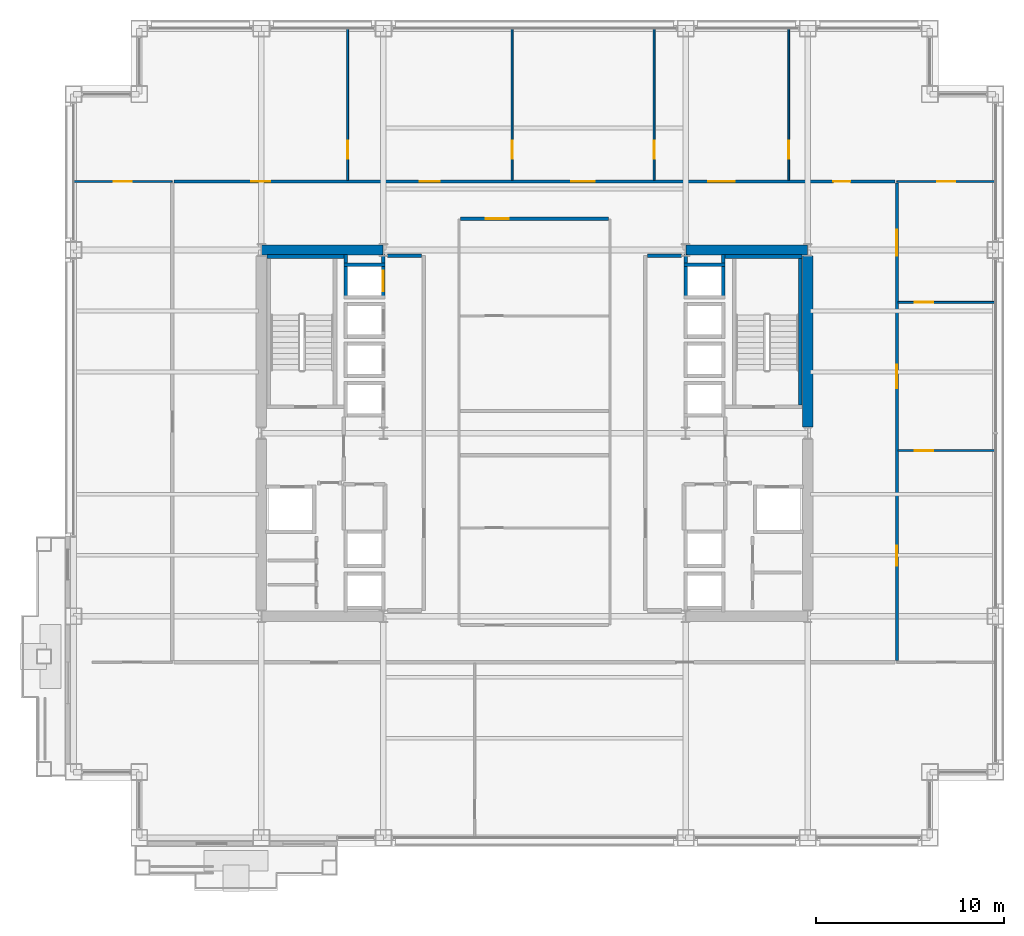
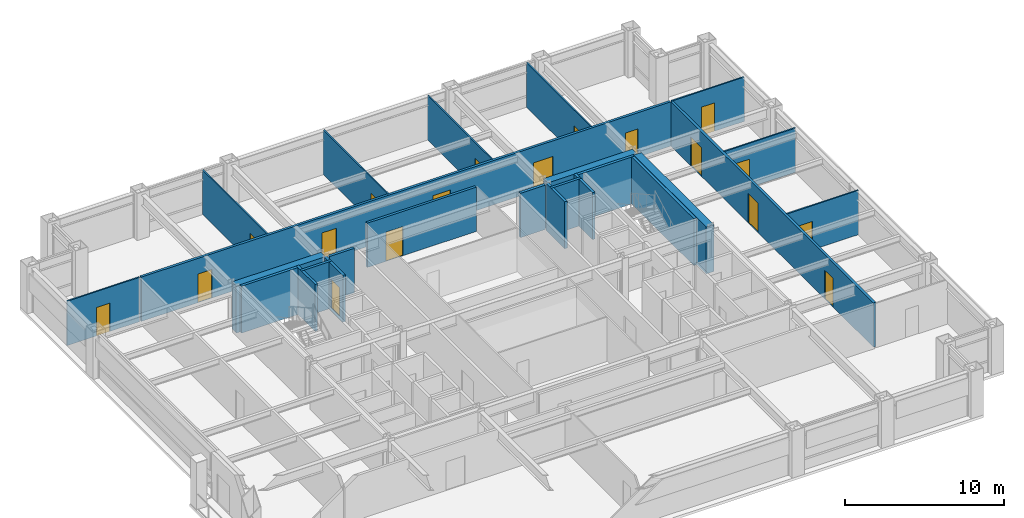
# One storey, part 25 of 28: 25 walls, 18 doors, 18 openings.
"""IFC4 building model written with IfcOpenShell, lengths in metres."""

from ifc_helpers import new_model, si_unit, direction, frame, frame_2d, origin, place, context, subcontext, project, spatial, rectangle, extrude, material, layer, layer_set, type_object, element, fill, save


model = new_model("IFC4")

# Units and contexts
model_context = context("Model", 3, precision=1e-05, world=origin(), true_north=direction((0.0, 1.0)))
body_context = subcontext(model_context, "Body", "Model", "MODEL_VIEW")
ifc_project = project(units=[si_unit("LENGTHUNIT", "METRE"), si_unit("AREAUNIT", "SQUARE_METRE"), si_unit("VOLUMEUNIT", "CUBIC_METRE"), si_unit("PLANEANGLEUNIT", "RADIAN"), si_unit("MASSUNIT", "GRAM", prefix="KILO")], contexts=[model_context])

# Site, building, storey
site_placement = place(None, origin())
site = spatial("IfcSite", under=ifc_project, at=site_placement, CompositionType="ELEMENT")
building_placement = place(site_placement, origin())
building = spatial("IfcBuilding", under=site, at=building_placement, Name="Brelmoor Portico Tower", CompositionType="ELEMENT")
storey_placement = place(building_placement, frame((0.0, 0.0, 70.800048828125)))
storey = spatial("IfcBuildingStorey", under=building, at=storey_placement, Name="L18", CompositionType="ELEMENT", Elevation=70.800048828125)

# Walls
ifc_material_1 = material(Name="Concrete C60", Category="concrete")
ifc_layer_1 = layer(ifc_material_1, 0.550048828125)
ifc_layer_set_1 = layer_set([ifc_layer_1], Name="Concrete C60")
wall_type_1 = type_object("IfcWallType", Name="WL-CORE-550", PredefinedType="SHEAR", material=ifc_layer_set_1)
for number, where, z_axis, x_axis, name in (
    (1, (-14.530029296875, 9.75, -0.199951171875), (0.0, 0.0, 1.0), (1.0, 0.0, 0.0), "L18 WC North Shear Wall"),
    (2, (8.070068359375, 9.75, -0.199951171875), (0.0, 0.0, 1.0), (1.0, 0.0, 0.0), "L18 EC North Shear Wall"),
):
    element("IfcWall", number, at=place(storey_placement, frame(where, z_axis=z_axis, x_axis=x_axis)), inside=storey, type_object=wall_type_1, Name=name, PredefinedType="SHEAR", context=body_context, shape_type="SweptSolid", body=[
        extrude(rectangle(XDim=6.4599609375, YDim=0.550048828125, at=frame_2d((3.22998046875, 0.0))), origin(), (0.0, 0.0, 1.0), 3.599853515625),
    ])
wall_1_placement = place(storey_placement, frame((14.550048828125, 0.324951171875, -0.199951171875), z_axis=(0.0, 0.0, 1.0), x_axis=(0.0, 1.0, 0.0)))
element("IfcWall", 3, at=wall_1_placement, inside=storey, type_object=wall_type_1, Name="L18 EC Outer North Shear Wall", PredefinedType="SHEAR", context=body_context, shape_type="SweptSolid", body=[
    extrude(rectangle(XDim=9.10009765625, YDim=0.550048828125, at=frame_2d((4.550048828125, 0.0))), origin(), (0.0, 0.0, 1.0), 3.599853515625),
])

# Wall, opening, door
ifc_material_2 = material(Name="Demountable Glazed Office Partition", Category="aluminium")
ifc_layer_2 = layer(ifc_material_2, 0.10009765625)
ifc_layer_set_2 = layer_set([ifc_layer_2], Name="Demountable Glazed Office Partition")
wall_type_2 = type_object("IfcWallType", Name="WL-PART-100", PredefinedType="PARTITIONING", material=ifc_layer_set_2)
wall_2_placement = place(storey_placement, frame((-9.955078125, 13.4599609375, 0.0), z_axis=(0.0, 0.0, 1.0), x_axis=(0.0, 1.0, 0.0)))
wall_2 = element("IfcWall", 4, at=wall_2_placement, inside=storey, type_object=wall_type_2, Name="L18 North Suite Partition 1", PredefinedType="PARTITIONING", context=body_context, shape_type="SweptSolid", body=[
    extrude(rectangle(XDim=8.10009765625, YDim=0.10009765625, at=frame_2d((4.050048828125, 0.0))), origin(), (0.0, 0.0, 1.0), 3.39990234375),
])
opening_1_placement = place(wall_2_placement, frame((1.14990234375, 0.0, 0.0)))
opening_1 = element("IfcOpeningElement", 5, at=opening_1_placement, cuts=wall_2, Name="Opening D-IN2", PredefinedType="OPENING", context=body_context, shape_type="SweptSolid", body=[
    extrude(rectangle(XDim=0.9599609375, YDim=2.179931640625, at=frame_2d((0.47998046875, 1.08984375))), frame((0.0, 0.06005859375, 0.0), z_axis=(0.0, -1.0, 0.0), x_axis=(1.0, 0.0, 0.0)), (0.0, 0.0, 1.0), 0.1201171875),
])
ifc_material_3 = material(Name="Lacquered Timber Suite Door", Category="wood")
door_type_1 = type_object("IfcDoorType", Name="DR-INT-950", OperationType="NOTDEFINED", PredefinedType="DOOR", material=ifc_material_3)
door_1_placement = place(opening_1_placement, origin())
door_1 = element("IfcDoor", 6, at=door_1_placement, inside=storey, type_object=door_type_1, Name="D-0823 L18 North Suite Connecting Door 1", OperationType="SINGLE_SWING_LEFT", OverallHeight=2.179931640625, OverallWidth=0.9599609375, PredefinedType="DOOR", context=body_context, shape_type="SweptSolid", body=[
    extrude(rectangle(XDim=0.9599609375, YDim=2.179931640625, at=frame_2d((0.47998046875, 1.08984375))), frame((0.0, 0.02490234375, 0.0), z_axis=(0.0, -1.0, 0.0), x_axis=(1.0, 0.0, 0.0)), (0.0, 0.0, 1.0), 0.050048828125),
])
fill(opening_1, door_1)

wall_3_placement = place(storey_placement, frame((-1.194580078125, 13.4599609375, 0.0), z_axis=(0.0, 0.0, 1.0), x_axis=(0.0, 1.0, 0.0)))
wall_3 = element("IfcWall", 7, at=wall_3_placement, inside=storey, type_object=wall_type_2, Name="L18 North Suite Partition 2", PredefinedType="PARTITIONING", context=body_context, shape_type="SweptSolid", body=[
    extrude(rectangle(XDim=8.10009765625, YDim=0.10009765625, at=frame_2d((4.050048828125, 0.0))), origin(), (0.0, 0.0, 1.0), 3.39990234375),
])
opening_2_placement = place(wall_3_placement, frame((1.14990234375, 0.0, 0.0)))
opening_2 = element("IfcOpeningElement", 8, at=opening_2_placement, cuts=wall_3, Name="Opening D-IN2", PredefinedType="OPENING", context=body_context, shape_type="SweptSolid", body=[
    extrude(rectangle(XDim=0.9599609375, YDim=2.179931640625, at=frame_2d((0.47998046875, 1.08984375))), frame((0.0, 0.06005859375, 0.0), z_axis=(0.0, -1.0, 0.0), x_axis=(1.0, 0.0, 0.0)), (0.0, 0.0, 1.0), 0.1201171875),
])
door_2_placement = place(opening_2_placement, origin())
door_2 = element("IfcDoor", 9, at=door_2_placement, inside=storey, type_object=door_type_1, Name="D-0824 L18 North Suite Connecting Door 2", OperationType="SINGLE_SWING_RIGHT", OverallHeight=2.179931640625, OverallWidth=0.9599609375, PredefinedType="DOOR", context=body_context, shape_type="SweptSolid", body=[
    extrude(rectangle(XDim=0.9599609375, YDim=2.179931640625, at=frame_2d((0.47998046875, 1.08984375))), frame((0.0, 0.02490234375, 0.0), z_axis=(0.0, -1.0, 0.0), x_axis=(1.0, 0.0, 0.0)), (0.0, 0.0, 1.0), 0.050048828125),
])
fill(opening_2, door_2)

wall_4_placement = place(storey_placement, frame((6.37109375, 13.4599609375, 0.0), z_axis=(0.0, 0.0, 1.0), x_axis=(0.0, 1.0, 0.0)))
wall_4 = element("IfcWall", 10, at=wall_4_placement, inside=storey, type_object=wall_type_2, Name="L18 North Suite Partition 3", PredefinedType="PARTITIONING", context=body_context, shape_type="SweptSolid", body=[
    extrude(rectangle(XDim=8.10009765625, YDim=0.10009765625, at=frame_2d((4.050048828125, 0.0))), origin(), (0.0, 0.0, 1.0), 3.39990234375),
])
opening_3_placement = place(wall_4_placement, frame((1.14990234375, 0.0, 0.0)))
opening_3 = element("IfcOpeningElement", 11, at=opening_3_placement, cuts=wall_4, Name="Opening D-IN2", PredefinedType="OPENING", context=body_context, shape_type="SweptSolid", body=[
    extrude(rectangle(XDim=0.9599609375, YDim=2.179931640625, at=frame_2d((0.47998046875, 1.08984375))), frame((0.0, 0.06005859375, 0.0), z_axis=(0.0, -1.0, 0.0), x_axis=(1.0, 0.0, 0.0)), (0.0, 0.0, 1.0), 0.1201171875),
])
door_3_placement = place(opening_3_placement, origin())
door_3 = element("IfcDoor", 12, at=door_3_placement, inside=storey, type_object=door_type_1, Name="D-0825 L18 North Suite Connecting Door 3", OperationType="SINGLE_SWING_LEFT", OverallHeight=2.179931640625, OverallWidth=0.9599609375, PredefinedType="DOOR", context=body_context, shape_type="SweptSolid", body=[
    extrude(rectangle(XDim=0.9599609375, YDim=2.179931640625, at=frame_2d((0.47998046875, 1.08984375))), frame((0.0, 0.02490234375, 0.0), z_axis=(0.0, -1.0, 0.0), x_axis=(1.0, 0.0, 0.0)), (0.0, 0.0, 1.0), 0.050048828125),
])
fill(opening_3, door_3)

wall_5_placement = place(storey_placement, frame((13.538818359375, 13.4599609375, 0.0), z_axis=(0.0, 0.0, 1.0), x_axis=(0.0, 1.0, 0.0)))
wall_5 = element("IfcWall", 13, at=wall_5_placement, inside=storey, type_object=wall_type_2, Name="L18 North Suite Partition 4", PredefinedType="PARTITIONING", context=body_context, shape_type="SweptSolid", body=[
    extrude(rectangle(XDim=8.10009765625, YDim=0.10009765625, at=frame_2d((4.050048828125, 0.0))), origin(), (0.0, 0.0, 1.0), 3.39990234375),
])
opening_4_placement = place(wall_5_placement, frame((1.14990234375, 0.0, 0.0)))
opening_4 = element("IfcOpeningElement", 14, at=opening_4_placement, cuts=wall_5, Name="Opening D-IN2", PredefinedType="OPENING", context=body_context, shape_type="SweptSolid", body=[
    extrude(rectangle(XDim=0.9599609375, YDim=2.179931640625, at=frame_2d((0.47998046875, 1.08984375))), frame((0.0, 0.06005859375, 0.0), z_axis=(0.0, -1.0, 0.0), x_axis=(1.0, 0.0, 0.0)), (0.0, 0.0, 1.0), 0.1201171875),
])
door_4_placement = place(opening_4_placement, origin())
door_4 = element("IfcDoor", 15, at=door_4_placement, inside=storey, type_object=door_type_1, Name="D-0826 L18 North Suite Connecting Door 4", OperationType="SINGLE_SWING_RIGHT", OverallHeight=2.179931640625, OverallWidth=0.9599609375, PredefinedType="DOOR", context=body_context, shape_type="SweptSolid", body=[
    extrude(rectangle(XDim=0.9599609375, YDim=2.179931640625, at=frame_2d((0.47998046875, 1.08984375))), frame((0.0, 0.02490234375, 0.0), z_axis=(0.0, -1.0, 0.0), x_axis=(1.0, 0.0, 0.0)), (0.0, 0.0, 1.0), 0.050048828125),
])
fill(opening_4, door_4)

wall_6_placement = place(storey_placement, frame((-24.56005859375, 13.39990234375, 0.0), z_axis=(0.0, 0.0, 1.0), x_axis=(1.0, 0.0, 0.0)))
wall_6 = element("IfcWall", 16, at=wall_6_placement, inside=storey, type_object=wall_type_2, Name="L18 North Outer Closure WL", PredefinedType="PARTITIONING", context=body_context, shape_type="SweptSolid", body=[
    extrude(rectangle(XDim=5.260009765625, YDim=0.10009765625, at=frame_2d((2.6298828125, 0.0))), origin(), (0.0, 0.0, 1.0), 3.39990234375),
])
opening_5_placement = place(wall_6_placement, frame((2.14990234375, 0.0, 0.0)))
opening_5 = element("IfcOpeningElement", 17, at=opening_5_placement, cuts=wall_6, Name="Opening D-IN2", PredefinedType="OPENING", context=body_context, shape_type="SweptSolid", body=[
    extrude(rectangle(XDim=0.9599609375, YDim=2.179931640625, at=frame_2d((0.47998046875, 1.08984375))), frame((0.0, 0.06005859375, 0.0), z_axis=(0.0, -1.0, 0.0), x_axis=(1.0, 0.0, 0.0)), (0.0, 0.0, 1.0), 0.1201171875),
])
door_5_placement = place(opening_5_placement, origin())
door_5 = element("IfcDoor", 18, at=door_5_placement, inside=storey, type_object=door_type_1, Name="D-0828 L18 WL North Corner Suite Door", OperationType="SINGLE_SWING_LEFT", OverallHeight=2.179931640625, OverallWidth=0.9599609375, PredefinedType="DOOR", context=body_context, shape_type="SweptSolid", body=[
    extrude(rectangle(XDim=0.9599609375, YDim=2.179931640625, at=frame_2d((0.47998046875, 1.08984375))), frame((0.0, 0.02490234375, 0.0), z_axis=(0.0, -1.0, 0.0), x_axis=(1.0, 0.0, 0.0)), (0.0, 0.0, 1.0), 0.050048828125),
])
fill(opening_5, door_5)

wall_7_placement = place(storey_placement, frame((19.300048828125, 13.39990234375, 0.0), z_axis=(0.0, 0.0, 1.0), x_axis=(1.0, 0.0, 0.0)))
wall_7 = element("IfcWall", 19, at=wall_7_placement, inside=storey, type_object=wall_type_2, Name="L18 North Outer Closure ER", PredefinedType="PARTITIONING", context=body_context, shape_type="SweptSolid", body=[
    extrude(rectangle(XDim=5.260009765625, YDim=0.10009765625, at=frame_2d((2.6298828125, 0.0))), origin(), (0.0, 0.0, 1.0), 3.39990234375),
])
opening_6_placement = place(wall_7_placement, frame((2.14990234375, 0.0, 0.0)))
opening_6 = element("IfcOpeningElement", 20, at=opening_6_placement, cuts=wall_7, Name="Opening D-IN2", PredefinedType="OPENING", context=body_context, shape_type="SweptSolid", body=[
    extrude(rectangle(XDim=0.9599609375, YDim=2.179931640625, at=frame_2d((0.47998046875, 1.08984375))), frame((0.0, 0.06005859375, 0.0), z_axis=(0.0, -1.0, 0.0), x_axis=(1.0, 0.0, 0.0)), (0.0, 0.0, 1.0), 0.1201171875),
])
door_6_placement = place(opening_6_placement, origin())
door_6 = element("IfcDoor", 21, at=door_6_placement, inside=storey, type_object=door_type_1, Name="D-0827 L18 ER North Corner Suite Door", OperationType="SINGLE_SWING_RIGHT", OverallHeight=2.179931640625, OverallWidth=0.9599609375, PredefinedType="DOOR", context=body_context, shape_type="SweptSolid", body=[
    extrude(rectangle(XDim=0.9599609375, YDim=2.179931640625, at=frame_2d((0.47998046875, 1.08984375))), frame((0.0, 0.02490234375, 0.0), z_axis=(0.0, -1.0, 0.0), x_axis=(1.0, 0.0, 0.0)), (0.0, 0.0, 1.0), 0.050048828125),
])
fill(opening_6, door_6)

wall_8_placement = place(storey_placement, frame((19.360107421875, -0.926513671875, 0.0), z_axis=(0.0, 0.0, 1.0), x_axis=(1.0, 0.0, 0.0)))
wall_8 = element("IfcWall", 22, at=wall_8_placement, inside=storey, type_object=wall_type_2, Name="L18 E Wing Partition 1", PredefinedType="PARTITIONING", context=body_context, shape_type="SweptSolid", body=[
    extrude(rectangle(XDim=5.199951171875, YDim=0.10009765625, at=frame_2d((2.60009765625, 0.0))), origin(), (0.0, 0.0, 1.0), 3.39990234375),
])
opening_7_placement = place(wall_8_placement, frame((0.89990234375, 0.0, 0.0)))
opening_7 = element("IfcOpeningElement", 23, at=opening_7_placement, cuts=wall_8, Name="Opening D-IN2", PredefinedType="OPENING", context=body_context, shape_type="SweptSolid", body=[
    extrude(rectangle(XDim=0.9599609375, YDim=2.179931640625, at=frame_2d((0.47998046875, 1.08984375))), frame((0.0, 0.06005859375, 0.0), z_axis=(0.0, -1.0, 0.0), x_axis=(1.0, 0.0, 0.0)), (0.0, 0.0, 1.0), 0.1201171875),
])
door_7_placement = place(opening_7_placement, origin())
door_7 = element("IfcDoor", 24, at=door_7_placement, inside=storey, type_object=door_type_1, Name="D-0841 L18 E Wing Suite Connecting Door 1", OperationType="SINGLE_SWING_RIGHT", OverallHeight=2.179931640625, OverallWidth=0.9599609375, PredefinedType="DOOR", context=body_context, shape_type="SweptSolid", body=[
    extrude(rectangle(XDim=0.9599609375, YDim=2.179931640625, at=frame_2d((0.47998046875, 1.08984375))), frame((0.0, 0.02490234375, 0.0), z_axis=(0.0, -1.0, 0.0), x_axis=(1.0, 0.0, 0.0)), (0.0, 0.0, 1.0), 0.050048828125),
])
fill(opening_7, door_7)

wall_9_placement = place(storey_placement, frame((19.360107421875, 6.9599609375, 0.0), z_axis=(0.0, 0.0, 1.0), x_axis=(1.0, 0.0, 0.0)))
wall_9 = element("IfcWall", 25, at=wall_9_placement, inside=storey, type_object=wall_type_2, Name="L18 E Wing Partition 2", PredefinedType="PARTITIONING", context=body_context, shape_type="SweptSolid", body=[
    extrude(rectangle(XDim=5.199951171875, YDim=0.10009765625, at=frame_2d((2.60009765625, 0.0))), origin(), (0.0, 0.0, 1.0), 3.39990234375),
])
opening_8_placement = place(wall_9_placement, frame((0.89990234375, 0.0, 0.0)))
opening_8 = element("IfcOpeningElement", 26, at=opening_8_placement, cuts=wall_9, Name="Opening D-IN2", PredefinedType="OPENING", context=body_context, shape_type="SweptSolid", body=[
    extrude(rectangle(XDim=0.9599609375, YDim=2.179931640625, at=frame_2d((0.47998046875, 1.08984375))), frame((0.0, 0.06005859375, 0.0), z_axis=(0.0, -1.0, 0.0), x_axis=(1.0, 0.0, 0.0)), (0.0, 0.0, 1.0), 0.1201171875),
])
door_8_placement = place(opening_8_placement, origin())
door_8 = element("IfcDoor", 27, at=door_8_placement, inside=storey, type_object=door_type_1, Name="D-0842 L18 E Wing Suite Connecting Door 2", OperationType="SINGLE_SWING_LEFT", OverallHeight=2.179931640625, OverallWidth=0.9599609375, PredefinedType="DOOR", context=body_context, shape_type="SweptSolid", body=[
    extrude(rectangle(XDim=0.9599609375, YDim=2.179931640625, at=frame_2d((0.47998046875, 1.08984375))), frame((0.0, 0.02490234375, 0.0), z_axis=(0.0, -1.0, 0.0), x_axis=(1.0, 0.0, 0.0)), (0.0, 0.0, 1.0), 0.050048828125),
])
fill(opening_8, door_8)

ifc_material_4 = material(Name="Acoustic Corridor Fire Partition", Category="gypsum")
ifc_layer_3 = layer(ifc_material_4, 0.179931640625)
ifc_layer_set_3 = layer_set([ifc_layer_3], Name="Acoustic Corridor Fire Partition")
wall_type_3 = type_object("IfcWallType", Name="WL-PART-180", PredefinedType="PARTITIONING", material=ifc_layer_set_3)
wall_10_placement = place(storey_placement, frame((-3.949951171875, 11.419921875, 0.0), z_axis=(0.0, 0.0, 1.0), x_axis=(1.0, 0.0, 0.0)))
wall_10 = element("IfcWall", 28, at=wall_10_placement, inside=storey, type_object=wall_type_3, Name="L18 Central Meeting Corridor Wall", PredefinedType="PARTITIONING", context=body_context, shape_type="SweptSolid", body=[
    extrude(rectangle(XDim=7.89990234375, YDim=0.179931640625, at=frame_2d((3.949951171875, 0.0))), origin(), (0.0, 0.0, 1.0), 3.39990234375),
])
opening_9_placement = place(wall_10_placement, frame((1.35009765625, 0.0, 0.0)))
opening_9 = element("IfcOpeningElement", 29, at=opening_9_placement, cuts=wall_10, Name="Opening D-SU1", PredefinedType="OPENING", context=body_context, shape_type="SweptSolid", body=[
    extrude(rectangle(XDim=1.239990234375, YDim=2.239990234375, at=frame_2d((0.6201171875, 1.1201171875))), frame((0.0, 0.099853515625, 0.0), z_axis=(0.0, -1.0, 0.0), x_axis=(1.0, 0.0, 0.0)), (0.0, 0.0, 1.0), 0.199951171875),
])
ifc_material_5 = material(Name="Glazed Timber Executive Suite Door", Category="wood")
door_type_2 = type_object("IfcDoorType", Name="DR-SUITE-1200", OperationType="NOTDEFINED", PredefinedType="DOOR", material=ifc_material_5)
door_9_placement = place(opening_9_placement, origin())
door_9 = element("IfcDoor", 30, at=door_9_placement, inside=storey, type_object=door_type_2, Name="D-0801 L18 Client Meeting Room Door", OperationType="SINGLE_SWING_LEFT", OverallHeight=2.239990234375, OverallWidth=1.239990234375, PredefinedType="DOOR", context=body_context, shape_type="SweptSolid", body=[
    extrude(rectangle(XDim=1.239990234375, YDim=2.239990234375, at=frame_2d((0.6201171875, 1.1201171875))), frame((0.0, 0.02490234375, 0.0), z_axis=(0.0, -1.0, 0.0), x_axis=(1.0, 0.0, 0.0)), (0.0, 0.0, 1.0), 0.050048828125),
])
fill(opening_9, door_9)

# Wall, openings, doors
wall_11_placement = place(storey_placement, frame((-19.199951171875, 13.39990234375, 0.0), z_axis=(0.0, 0.0, 1.0), x_axis=(1.0, 0.0, 0.0)))
wall_11 = element("IfcWall", 31, at=wall_11_placement, inside=storey, type_object=wall_type_3, Name="L18 North Corridor Partition", PredefinedType="PARTITIONING", context=body_context, shape_type="SweptSolid", body=[
    extrude(rectangle(XDim=38.39990234375, YDim=0.179931640625, at=frame_2d((19.199951171875, 0.0))), origin(), (0.0, 0.0, 1.0), 3.39990234375),
])
opening_10_placement = place(wall_11_placement, frame((4.112548828125, 0.0, 0.0)))
opening_10 = element("IfcOpeningElement", 32, at=opening_10_placement, cuts=wall_11, Name="Opening D-OF1", PredefinedType="OPENING", context=body_context, shape_type="SweptSolid", body=[
    extrude(rectangle(XDim=1.02001953125, YDim=2.199951171875, at=frame_2d((0.510009765625, 1.10009765625))), frame((0.0, 0.099853515625, 0.0), z_axis=(0.0, -1.0, 0.0), x_axis=(1.0, 0.0, 0.0)), (0.0, 0.0, 1.0), 0.199951171875),
])
opening_11_placement = place(wall_11_placement, frame((13.09521484375, 0.0, 0.0)))
opening_11 = element("IfcOpeningElement", 33, at=opening_11_placement, cuts=wall_11, Name="Opening D-OF2", PredefinedType="OPENING", context=body_context, shape_type="SweptSolid", body=[
    extrude(rectangle(XDim=1.06005859375, YDim=2.199951171875, at=frame_2d((0.530029296875, 1.10009765625))), frame((0.0, 0.099853515625, 0.0), z_axis=(0.0, -1.0, 0.0), x_axis=(1.0, 0.0, 0.0)), (0.0, 0.0, 1.0), 0.199951171875),
])
opening_12_placement = place(wall_11_placement, frame((21.168212890625, 0.0, 0.0)))
opening_12 = element("IfcOpeningElement", 34, at=opening_12_placement, cuts=wall_11, Name="Opening D-SU1", PredefinedType="OPENING", context=body_context, shape_type="SweptSolid", body=[
    extrude(rectangle(XDim=1.239990234375, YDim=2.239990234375, at=frame_2d((0.6201171875, 1.1201171875))), frame((0.0, 0.099853515625, 0.0), z_axis=(0.0, -1.0, 0.0), x_axis=(1.0, 0.0, 0.0)), (0.0, 0.0, 1.0), 0.199951171875),
])
opening_13_placement = place(wall_11_placement, frame((28.455078125, 0.0, 0.0)))
opening_13 = element("IfcOpeningElement", 35, at=opening_13_placement, cuts=wall_11, Name="Opening D-SU2", PredefinedType="OPENING", context=body_context, shape_type="SweptSolid", body=[
    extrude(rectangle(XDim=1.39990234375, YDim=2.199951171875, at=frame_2d((0.699951171875, 1.10009765625))), frame((0.0, 0.099853515625, 0.0), z_axis=(0.0, -1.0, 0.0), x_axis=(1.0, 0.0, 0.0)), (0.0, 0.0, 1.0), 0.199951171875),
])
opening_14_placement = place(wall_11_placement, frame((35.119384765625, 0.0, 0.0)))
opening_14 = element("IfcOpeningElement", 36, at=opening_14_placement, cuts=wall_11, Name="Opening D-IN1", PredefinedType="OPENING", context=body_context, shape_type="SweptSolid", body=[
    extrude(rectangle(XDim=0.89990234375, YDim=2.14990234375, at=frame_2d((0.449951171875, 1.074951171875))), frame((0.0, 0.099853515625, 0.0), z_axis=(0.0, -1.0, 0.0), x_axis=(1.0, 0.0, 0.0)), (0.0, 0.0, 1.0), 0.199951171875),
])
door_type_3 = type_object("IfcDoorType", Name="DR-INT-900", OperationType="NOTDEFINED", PredefinedType="DOOR", material=ifc_material_3)
door_10_placement = place(opening_14_placement, origin())
door_10 = element("IfcDoor", 37, at=door_10_placement, inside=storey, type_object=door_type_3, Name="D-0822 L18 North Open-Plan Office 5 Door", OperationType="SINGLE_SWING_RIGHT", OverallHeight=2.14990234375, OverallWidth=0.89990234375, PredefinedType="DOOR", context=body_context, shape_type="SweptSolid", body=[
    extrude(rectangle(XDim=0.89990234375, YDim=2.14990234375, at=frame_2d((0.449951171875, 1.074951171875))), frame((0.0, 0.02490234375, 0.0), z_axis=(0.0, -1.0, 0.0), x_axis=(1.0, 0.0, 0.0)), (0.0, 0.0, 1.0), 0.050048828125),
])
fill(opening_14, door_10)
ifc_material_6 = material(Name="Hardwood Acoustic Veneer Door", Category="wood")
door_type_4 = type_object("IfcDoorType", Name="DR-OFFICE-1000", OperationType="NOTDEFINED", PredefinedType="DOOR", material=ifc_material_6)
door_11_placement = place(opening_10_placement, origin())
door_11 = element("IfcDoor", 38, at=door_11_placement, inside=storey, type_object=door_type_4, Name="D-0818 L18 North Cellular Office 1 Door", OperationType="SINGLE_SWING_LEFT", OverallHeight=2.199951171875, OverallWidth=1.02001953125, PredefinedType="DOOR", context=body_context, shape_type="SweptSolid", body=[
    extrude(rectangle(XDim=1.02001953125, YDim=2.199951171875, at=frame_2d((0.510009765625, 1.10009765625))), frame((0.0, 0.02490234375, 0.0), z_axis=(0.0, -1.0, 0.0), x_axis=(1.0, 0.0, 0.0)), (0.0, 0.0, 1.0), 0.050048828125),
])
fill(opening_10, door_11)
door_type_5 = type_object("IfcDoorType", Name="DR-OFFICE-1050", OperationType="NOTDEFINED", PredefinedType="DOOR", material=ifc_material_6)
door_12_placement = place(opening_11_placement, origin())
door_12 = element("IfcDoor", 39, at=door_12_placement, inside=storey, type_object=door_type_5, Name="D-0819 L18 North Project Strategy Office 2 Door", OperationType="SINGLE_SWING_RIGHT", OverallHeight=2.199951171875, OverallWidth=1.06005859375, PredefinedType="DOOR", context=body_context, shape_type="SweptSolid", body=[
    extrude(rectangle(XDim=1.06005859375, YDim=2.199951171875, at=frame_2d((0.530029296875, 1.10009765625))), frame((0.0, 0.02490234375, 0.0), z_axis=(0.0, -1.0, 0.0), x_axis=(1.0, 0.0, 0.0)), (0.0, 0.0, 1.0), 0.050048828125),
])
fill(opening_11, door_12)
door_13_placement = place(opening_12_placement, origin())
door_13 = element("IfcDoor", 40, at=door_13_placement, inside=storey, type_object=door_type_2, Name="D-0820 L18 North Quiet Study Room 3 Door", OperationType="SINGLE_SWING_LEFT", OverallHeight=2.239990234375, OverallWidth=1.239990234375, PredefinedType="DOOR", context=body_context, shape_type="SweptSolid", body=[
    extrude(rectangle(XDim=1.239990234375, YDim=2.239990234375, at=frame_2d((0.6201171875, 1.1201171875))), frame((0.0, 0.02490234375, 0.0), z_axis=(0.0, -1.0, 0.0), x_axis=(1.0, 0.0, 0.0)), (0.0, 0.0, 1.0), 0.050048828125),
])
fill(opening_12, door_13)
ifc_material_7 = material(Name="Double-Leaf Acoustic Suite Door", Category="timber")
door_type_6 = type_object("IfcDoorType", Name="DR-SUITE-1400", OperationType="NOTDEFINED", PredefinedType="DOOR", material=ifc_material_7)
door_14_placement = place(opening_13_placement, origin())
door_14 = element("IfcDoor", 41, at=door_14_placement, inside=storey, type_object=door_type_6, Name="D-0821 L18 North Technical Storage 4 Door", OperationType="DOUBLE_DOOR_SINGLE_SWING", OverallHeight=2.199951171875, OverallWidth=1.39990234375, PredefinedType="DOOR", context=body_context, shape_type="SweptSolid", body=[
    extrude(rectangle(XDim=1.39990234375, YDim=2.199951171875, at=frame_2d((0.699951171875, 1.10009765625))), frame((0.0, 0.02490234375, 0.0), z_axis=(0.0, -1.0, 0.0), x_axis=(1.0, 0.0, 0.0)), (0.0, 0.0, 1.0), 0.050048828125),
])
fill(opening_13, door_14)

wall_12_placement = place(storey_placement, frame((19.300048828125, -12.1201171875, 0.0), z_axis=(0.0, 0.0, 1.0), x_axis=(0.0, 1.0, 0.0)))
wall_12 = element("IfcWall", 42, at=wall_12_placement, inside=storey, type_object=wall_type_3, Name="L18 E Wing Corridor Wall", PredefinedType="PARTITIONING", context=body_context, shape_type="SweptSolid", body=[
    extrude(rectangle(XDim=25.440185546875, YDim=0.179931640625, at=frame_2d((12.72021484375, 0.0))), origin(), (0.0, 0.0, 1.0), 3.39990234375),
])
opening_15_placement = place(wall_12_placement, frame((5.06689453125, 0.0, 0.0)))
opening_15 = element("IfcOpeningElement", 43, at=opening_15_placement, cuts=wall_12, Name="Opening D-OF2", PredefinedType="OPENING", context=body_context, shape_type="SweptSolid", body=[
    extrude(rectangle(XDim=1.06005859375, YDim=2.199951171875, at=frame_2d((0.530029296875, 1.10009765625))), frame((0.0, 0.099853515625, 0.0), z_axis=(0.0, -1.0, 0.0), x_axis=(1.0, 0.0, 0.0)), (0.0, 0.0, 1.0), 0.199951171875),
])
opening_16_placement = place(wall_12_placement, frame((14.516845703125, 0.0, 0.0)))
opening_16 = element("IfcOpeningElement", 44, at=opening_16_placement, cuts=wall_12, Name="Opening D-SU1", PredefinedType="OPENING", context=body_context, shape_type="SweptSolid", body=[
    extrude(rectangle(XDim=1.239990234375, YDim=2.239990234375, at=frame_2d((0.6201171875, 1.1201171875))), frame((0.0, 0.099853515625, 0.0), z_axis=(0.0, -1.0, 0.0), x_axis=(1.0, 0.0, 0.0)), (0.0, 0.0, 1.0), 0.199951171875),
])
opening_17_placement = place(wall_12_placement, frame((21.56005859375, 0.0, 0.0)))
opening_17 = element("IfcOpeningElement", 45, at=opening_17_placement, cuts=wall_12, Name="Opening D-SU2", PredefinedType="OPENING", context=body_context, shape_type="SweptSolid", body=[
    extrude(rectangle(XDim=1.39990234375, YDim=2.199951171875, at=frame_2d((0.699951171875, 1.10009765625))), frame((0.0, 0.099853515625, 0.0), z_axis=(0.0, -1.0, 0.0), x_axis=(1.0, 0.0, 0.0)), (0.0, 0.0, 1.0), 0.199951171875),
])
door_15_placement = place(opening_15_placement, origin())
door_15 = element("IfcDoor", 46, at=door_15_placement, inside=storey, type_object=door_type_5, Name="D-0838 L18 E Quiet Study Room 1 Door", OperationType="SINGLE_SWING_RIGHT", OverallHeight=2.199951171875, OverallWidth=1.06005859375, PredefinedType="DOOR", context=body_context, shape_type="SweptSolid", body=[
    extrude(rectangle(XDim=1.06005859375, YDim=2.199951171875, at=frame_2d((0.530029296875, 1.10009765625))), frame((0.0, 0.02490234375, 0.0), z_axis=(0.0, -1.0, 0.0), x_axis=(1.0, 0.0, 0.0)), (0.0, 0.0, 1.0), 0.050048828125),
])
fill(opening_15, door_15)
door_16_placement = place(opening_16_placement, origin())
door_16 = element("IfcDoor", 47, at=door_16_placement, inside=storey, type_object=door_type_2, Name="D-0839 L18 E Technical Storage 2 Door", OperationType="SINGLE_SWING_LEFT", OverallHeight=2.239990234375, OverallWidth=1.239990234375, PredefinedType="DOOR", context=body_context, shape_type="SweptSolid", body=[
    extrude(rectangle(XDim=1.239990234375, YDim=2.239990234375, at=frame_2d((0.6201171875, 1.1201171875))), frame((0.0, 0.02490234375, 0.0), z_axis=(0.0, -1.0, 0.0), x_axis=(1.0, 0.0, 0.0)), (0.0, 0.0, 1.0), 0.050048828125),
])
fill(opening_16, door_16)
door_17_placement = place(opening_17_placement, origin())
door_17 = element("IfcDoor", 48, at=door_17_placement, inside=storey, type_object=door_type_6, Name="D-0840 L18 E Open-Plan Office 3 Door", OperationType="DOUBLE_DOOR_SINGLE_SWING", OverallHeight=2.199951171875, OverallWidth=1.39990234375, PredefinedType="DOOR", context=body_context, shape_type="SweptSolid", body=[
    extrude(rectangle(XDim=1.39990234375, YDim=2.199951171875, at=frame_2d((0.699951171875, 1.10009765625))), frame((0.0, 0.02490234375, 0.0), z_axis=(0.0, -1.0, 0.0), x_axis=(1.0, 0.0, 0.0)), (0.0, 0.0, 1.0), 0.050048828125),
])
fill(opening_17, door_17)

# Walls
ifc_material_8 = material(Name="Double-Stud Gypsum Fire Partition", Category="gypsum")
ifc_layer_4 = layer(ifc_material_8, 0.199951171875)
ifc_layer_set_4 = layer_set([ifc_layer_4], Name="Double-Stud Gypsum Fire Partition")
wall_type_4 = type_object("IfcWallType", Name="WL-PART-200", PredefinedType="PARTITIONING", material=ifc_layer_set_4)
for number, where, z_axis, x_axis, name in (
    (49, (-6.02001953125, 9.449951171875, 0.0), (0.0, 0.0, 1.0), (-1.0, 0.0, 0.0), "L18 W Lift Lobby North End Wall"),
    (50, (6.02001953125, 9.449951171875, 0.0), (0.0, 0.0, 1.0), (1.0, 0.0, 0.0), "L18 E Lift Lobby North End Wall"),
):
    element("IfcWall", number, at=place(storey_placement, frame(where, z_axis=z_axis, x_axis=x_axis)), inside=storey, type_object=wall_type_4, Name=name, PredefinedType="PARTITIONING", context=body_context, shape_type="SweptSolid", body=[
        extrude(rectangle(XDim=1.800048828125, YDim=0.199951171875, at=frame_2d((0.89990234375, 0.0))), origin(), (0.0, 0.0, 1.0), 3.39990234375),
    ])

# Wall, opening, door
ifc_material_9 = material(Name="Precast Concrete C40", Category="concrete")
ifc_layer_5 = layer(ifc_material_9, 0.18994140625)
ifc_layer_set_5 = layer_set([ifc_layer_5], Name="Precast Concrete C40")
wall_type_5 = type_object("IfcWallType", Name="WL-SHAFT-180", PredefinedType="SOLIDWALL", material=ifc_layer_set_5)
wall_13_placement = place(storey_placement, frame((-8.044921875, 7.14990234375, -0.199951171875), z_axis=(0.0, 0.0, 1.0), x_axis=(0.0, 1.0, 0.0)))
wall_13 = element("IfcWall", 51, at=wall_13_placement, inside=storey, type_object=wall_type_5, Name="L18 Lift PL4 Hoistway Front Wall", PredefinedType="SOLIDWALL", context=body_context, shape_type="SweptSolid", body=[
    extrude(rectangle(XDim=2.3701171875, YDim=0.18994140625, at=frame_2d((1.18505859375, 0.0))), origin(), (0.0, 0.0, 1.0), 3.599853515625),
])
opening_18_placement = place(wall_13_placement, frame((0.39990234375, 0.0, 0.199951171875)))
opening_18 = element("IfcOpeningElement", 52, at=opening_18_placement, cuts=wall_13, Name="Opening LD-01", PredefinedType="OPENING", context=body_context, shape_type="SweptSolid", body=[
    extrude(rectangle(XDim=1.10009765625, YDim=2.199951171875, at=frame_2d((0.550048828125, 1.10009765625))), frame((0.0, 0.10498046875, 0.0), z_axis=(0.0, -1.0, 0.0), x_axis=(1.0, 0.0, 0.0)), (0.0, 0.0, 1.0), 0.2099609375),
])
ifc_material_10 = material(Name="Brushed Stainless Steel Sliding Lift Door", Category="steel")
door_type_7 = type_object("IfcDoorType", Name="DR-LIFT-1100", OperationType="NOTDEFINED", PredefinedType="DOOR", material=ifc_material_10)
door_18_placement = place(opening_18_placement, origin())
door_18 = element("IfcDoor", 53, at=door_18_placement, inside=storey, type_object=door_type_7, Name="D-0849 L18 Lift PL4 Sliding Landing Door", OperationType="SLIDING_TO_LEFT", OverallHeight=2.199951171875, OverallWidth=1.10009765625, PredefinedType="DOOR", context=body_context, shape_type="SweptSolid", body=[
    extrude(rectangle(XDim=1.10009765625, YDim=2.199951171875, at=frame_2d((0.550048828125, 1.10009765625))), frame((0.0, 0.02490234375, 0.0), z_axis=(0.0, -1.0, 0.0), x_axis=(1.0, 0.0, 0.0)), (0.0, 0.0, 1.0), 0.050048828125),
])
fill(opening_18, door_18)

# Walls
wall_14_placement = place(storey_placement, frame((-10.054931640625, 7.14990234375, -0.199951171875), z_axis=(0.0, 0.0, 1.0), x_axis=(0.0, 1.0, 0.0)))
element("IfcWall", 54, at=wall_14_placement, inside=storey, type_object=wall_type_5, Name="L18 Lift PL4 Hoistway Back Wall", PredefinedType="SOLIDWALL", context=body_context, shape_type="SweptSolid", body=[
    extrude(rectangle(XDim=2.3701171875, YDim=0.18994140625, at=frame_2d((1.18505859375, 0.0))), origin(), (0.0, 0.0, 1.0), 3.599853515625),
])
wall_15_placement = place(storey_placement, frame((-10.14990234375, 8.955078125, -0.199951171875), z_axis=(0.0, 0.0, 1.0), x_axis=(1.0, 0.0, 0.0)))
element("IfcWall", 55, at=wall_15_placement, inside=storey, type_object=wall_type_5, Name="L18 Lift PL4 Hoistway North Wall", PredefinedType="SOLIDWALL", context=body_context, shape_type="SweptSolid", body=[
    extrude(rectangle(XDim=2.199951171875, YDim=0.18994140625, at=frame_2d((1.10009765625, 0.0))), origin(), (0.0, 0.0, 1.0), 3.599853515625),
])
for number, where, z_axis, x_axis, name in (
    (56, (8.044921875, 7.14990234375, -0.199951171875), (0.0, 0.0, 1.0), (0.0, 1.0, 0.0), "L18 Lift PM4 Hoistway Front Wall"),
    (57, (10.054931640625, 7.14990234375, -0.199951171875), (0.0, 0.0, 1.0), (0.0, 1.0, 0.0), "L18 Lift PM4 Hoistway Back Wall"),
):
    element("IfcWall", number, at=place(storey_placement, frame(where, z_axis=z_axis, x_axis=x_axis)), inside=storey, type_object=wall_type_5, Name=name, PredefinedType="SOLIDWALL", context=body_context, shape_type="SweptSolid", body=[
        extrude(rectangle(XDim=2.3701171875, YDim=0.18994140625, at=frame_2d((1.18505859375, 0.0))), origin(), (0.0, 0.0, 1.0), 3.599853515625),
    ])
wall_16_placement = place(storey_placement, frame((7.949951171875, 8.955078125, -0.199951171875), z_axis=(0.0, 0.0, 1.0), x_axis=(1.0, 0.0, 0.0)))
element("IfcWall", 58, at=wall_16_placement, inside=storey, type_object=wall_type_5, Name="L18 Lift PM4 Hoistway North Wall", PredefinedType="SOLIDWALL", context=body_context, shape_type="SweptSolid", body=[
    extrude(rectangle(XDim=2.199951171875, YDim=0.18994140625, at=frame_2d((1.10009765625, 0.0))), origin(), (0.0, 0.0, 1.0), 3.599853515625),
])
ifc_material_11 = material(Name="Concrete C40", Category="concrete")
ifc_layer_6 = layer(ifc_material_11, 0.199951171875)
ifc_layer_set_6 = layer_set([ifc_layer_6], Name="Concrete C40")
wall_type_6 = type_object("IfcWallType", Name="WL-SHAFT-RC200", PredefinedType="SOLIDWALL", material=ifc_layer_set_6)
wall_17_placement = place(storey_placement, frame((14.14990234375, 1.5, -0.199951171875), z_axis=(0.0, 0.0, 1.0), x_axis=(0.0, 1.0, 0.0)))
element("IfcWall", 59, at=wall_17_placement, inside=storey, type_object=wall_type_6, Name="L18 ST-E Structural Stair Wall Outer", PredefinedType="SOLIDWALL", context=body_context, shape_type="SweptSolid", body=[
    extrude(rectangle(XDim=7.800048828125, YDim=0.199951171875, at=frame_2d((3.89990234375, 0.0))), origin(), (0.0, 0.0, 1.0), 3.599853515625),
])
for number, where, z_axis, x_axis, name in (
    (60, (-14.25, 9.39990234375, -0.199951171875), (0.0, 0.0, 1.0), (1.0, 0.0, 0.0), "L18 ST-W Structural Stair Wall N"),
    (61, (10.14990234375, 9.39990234375, -0.199951171875), (0.0, 0.0, 1.0), (1.0, 0.0, 0.0), "L18 ST-E Structural Stair Wall N"),
):
    element("IfcWall", number, at=place(storey_placement, frame(where, z_axis=z_axis, x_axis=x_axis)), inside=storey, type_object=wall_type_6, Name=name, PredefinedType="SOLIDWALL", context=body_context, shape_type="SweptSolid", body=[
        extrude(rectangle(XDim=4.10009765625, YDim=0.199951171875, at=frame_2d((2.050048828125, 0.0))), origin(), (0.0, 0.0, 1.0), 3.599853515625),
    ])

save(model, "model.ifc")
